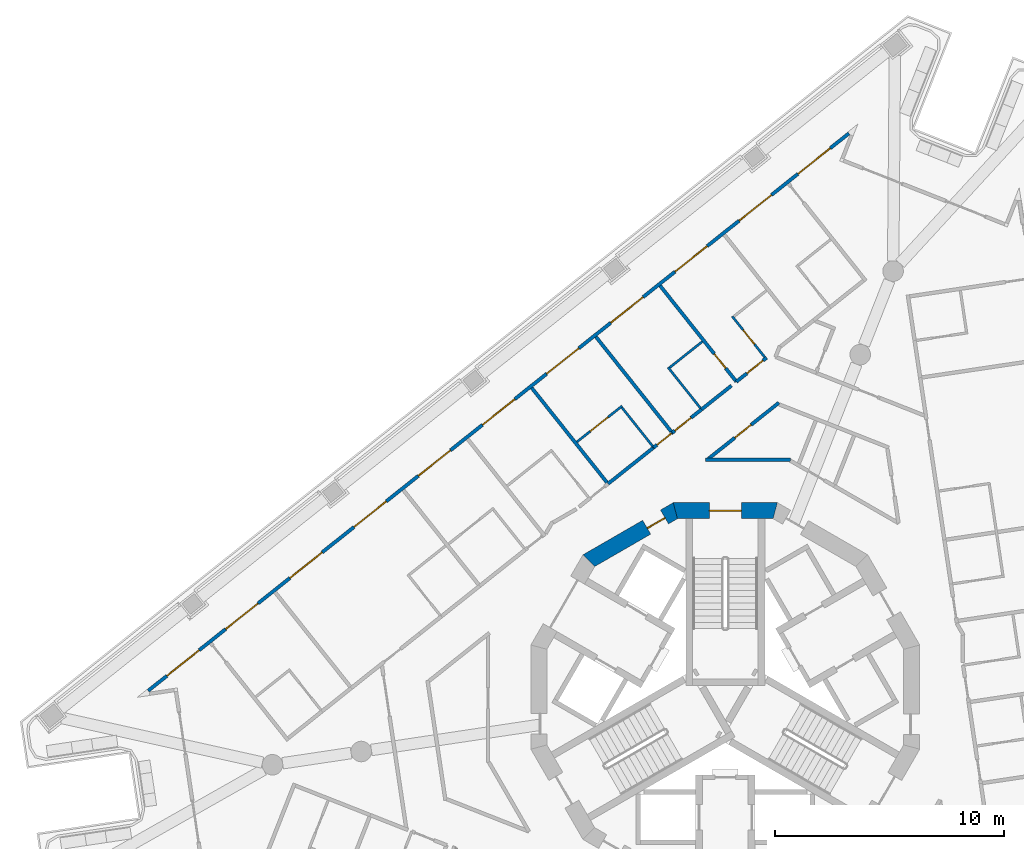
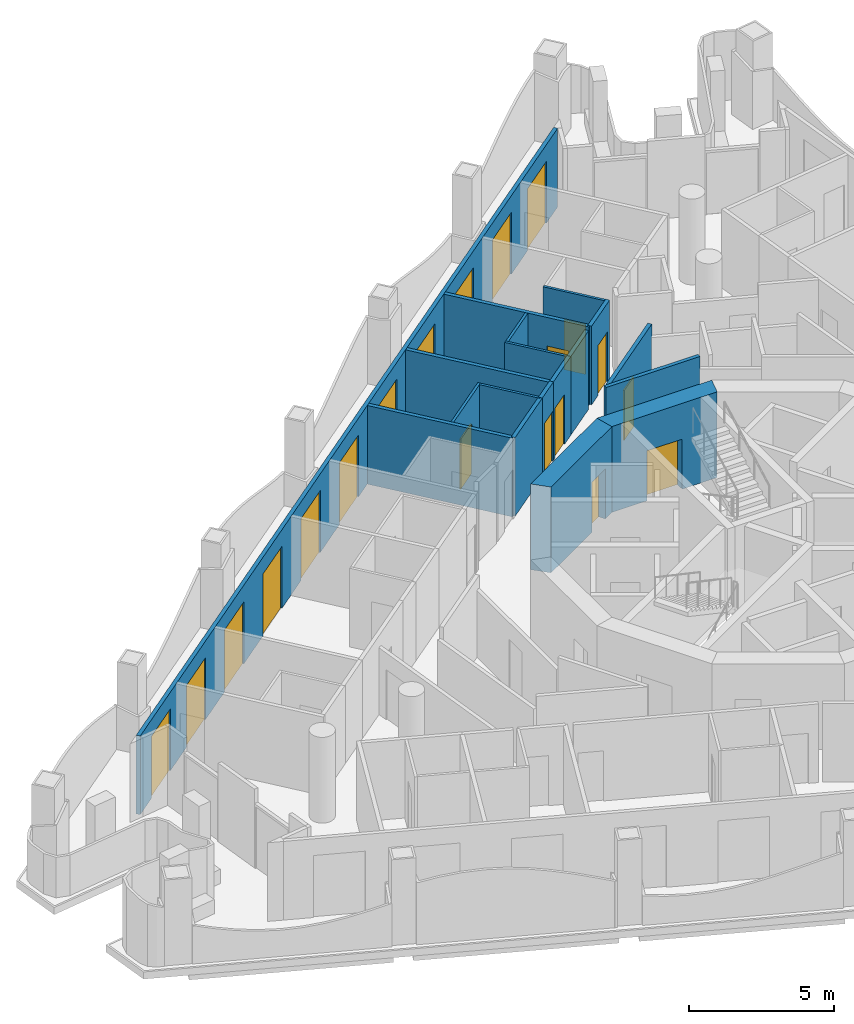
# One storey, part 8 of 17: 20 doors, 18 walls, 20 openings.
"""IFC4 building model written with IfcOpenShell, lengths in metres."""

from ifc_helpers import new_model, si_unit, direction, frame, frame_2d, origin, place, context, subcontext, project, spatial, polyline, rectangle, outline, extrude, material, layer, layer_set, type_object, element, fill, save


model = new_model("IFC4")

# Units and contexts
model_context = context("Model", 3, precision=1e-05, world=origin(), true_north=direction((0.0, 1.0)))
body_context = subcontext(model_context, "Body", "Model", "MODEL_VIEW")
ifc_project = project(units=[si_unit("LENGTHUNIT", "METRE"), si_unit("AREAUNIT", "SQUARE_METRE"), si_unit("VOLUMEUNIT", "CUBIC_METRE"), si_unit("PLANEANGLEUNIT", "RADIAN"), si_unit("MASSUNIT", "GRAM", prefix="KILO")], contexts=[model_context])

# Site, building, storey
site_placement = place(None, origin())
site = spatial("IfcSite", under=ifc_project, at=site_placement, CompositionType="ELEMENT")
building_placement = place(site_placement, origin())
building = spatial("IfcBuilding", under=site, at=building_placement, Name="Trine Commons Tower", CompositionType="ELEMENT")
storey_placement = place(building_placement, frame((0.0, 0.0, 208.800048828125)))
storey = spatial("IfcBuildingStorey", under=building, at=storey_placement, Name="L54", CompositionType="ELEMENT", Elevation=208.800048828125)

# Wall, openings, doors
ifc_material_1 = material(Name="Aluminium-framed insulated wall panel", Category="aluminium")
ifc_layer_1 = layer(ifc_material_1, 0.14990234375)
ifc_layer_set_1 = layer_set([ifc_layer_1], Name="Aluminium-framed insulated wall panel")
wall_type_1 = type_object("IfcWallType", Name="Glazed frame wall 150, EI 60", PredefinedType="SOLIDWALL", material=ifc_layer_set_1)
wall_1_placement = place(storey_placement, frame((54.650634765625, 62.685546875, 0.0), z_axis=(0.0, 0.0, 1.0), x_axis=(0.782609620341, 0.622512796776, 0.0)))
wall_1 = element("IfcWall", 1, at=wall_1_placement, inside=storey, type_object=wall_type_1, Name="Glazed frame wall F1", PredefinedType="SOLIDWALL", context=body_context, shape_type="SweptSolid", body=[
    extrude(outline(polyline([(0.1494140625, 0.074951171875), (0.1494140625, -0.074951171875), (39.296875, -0.074951171875), (39.296875, 0.074951171875), (0.1494140625, 0.074951171875)])), origin(), (0.0, 0.0, 1.0), 3.300048828125),
])
opening_1_placement = place(wall_1_placement, frame((1.193115234375, 0.0, 0.0)))
opening_1 = element("IfcOpeningElement", 2, at=opening_1_placement, cuts=wall_1, Name="Opening BD-6F1-01", PredefinedType="OPENING", context=body_context, shape_type="SweptSolid", body=[
    extrude(rectangle(XDim=1.800048828125, YDim=2.60009765625, at=frame_2d((0.89990234375, 1.300048828125))), frame((0.0, 0.0849609375, 0.0), z_axis=(0.0, -1.0, 0.0), x_axis=(1.0, 0.0, 0.0)), (0.0, 0.0, 1.0), 0.169921875),
])
opening_2_placement = place(wall_1_placement, frame((4.47900390625, 0.0, 0.0)))
opening_2 = element("IfcOpeningElement", 3, at=opening_2_placement, cuts=wall_1, Name="Opening BD-6F1-02", PredefinedType="OPENING", context=body_context, shape_type="SweptSolid", body=[
    extrude(rectangle(XDim=1.800048828125, YDim=2.60009765625, at=frame_2d((0.89990234375, 1.300048828125))), frame((0.0, 0.0849609375, 0.0), z_axis=(0.0, -1.0, 0.0), x_axis=(1.0, 0.0, 0.0)), (0.0, 0.0, 1.0), 0.169921875),
])
opening_3_placement = place(wall_1_placement, frame((8.06494140625, 0.0, 0.0)))
opening_3 = element("IfcOpeningElement", 4, at=opening_3_placement, cuts=wall_1, Name="Opening BD-6F1-03", PredefinedType="OPENING", context=body_context, shape_type="SweptSolid", body=[
    extrude(rectangle(XDim=1.800048828125, YDim=2.60009765625, at=frame_2d((0.89990234375, 1.300048828125))), frame((0.0, 0.0849609375, 0.0), z_axis=(0.0, -1.0, 0.0), x_axis=(1.0, 0.0, 0.0)), (0.0, 0.0, 1.0), 0.169921875),
])
opening_4_placement = place(wall_1_placement, frame((11.65087890625, 0.0, 0.0)))
opening_4 = element("IfcOpeningElement", 5, at=opening_4_placement, cuts=wall_1, Name="Opening BD-6F1-04", PredefinedType="OPENING", context=body_context, shape_type="SweptSolid", body=[
    extrude(rectangle(XDim=1.800048828125, YDim=2.60009765625, at=frame_2d((0.89990234375, 1.300048828125))), frame((0.0, 0.0849609375, 0.0), z_axis=(0.0, -1.0, 0.0), x_axis=(1.0, 0.0, 0.0)), (0.0, 0.0, 1.0), 0.169921875),
])
opening_5_placement = place(wall_1_placement, frame((15.237060546875, 0.0, 0.0)))
opening_5 = element("IfcOpeningElement", 6, at=opening_5_placement, cuts=wall_1, Name="Opening BD-6F1-05", PredefinedType="OPENING", context=body_context, shape_type="SweptSolid", body=[
    extrude(rectangle(XDim=1.800048828125, YDim=2.60009765625, at=frame_2d((0.89990234375, 1.300048828125))), frame((0.0, 0.0849609375, 0.0), z_axis=(0.0, -1.0, 0.0), x_axis=(1.0, 0.0, 0.0)), (0.0, 0.0, 1.0), 0.169921875),
])
opening_6_placement = place(wall_1_placement, frame((18.822998046875, 0.0, 0.0)))
opening_6 = element("IfcOpeningElement", 7, at=opening_6_placement, cuts=wall_1, Name="Opening BD-6F1-06", PredefinedType="OPENING", context=body_context, shape_type="SweptSolid", body=[
    extrude(rectangle(XDim=1.800048828125, YDim=2.60009765625, at=frame_2d((0.89990234375, 1.300048828125))), frame((0.0, 0.0849609375, 0.0), z_axis=(0.0, -1.0, 0.0), x_axis=(1.0, 0.0, 0.0)), (0.0, 0.0, 1.0), 0.169921875),
])
opening_7_placement = place(wall_1_placement, frame((22.408935546875, 0.0, 0.0)))
opening_7 = element("IfcOpeningElement", 8, at=opening_7_placement, cuts=wall_1, Name="Opening BD-6F1-07", PredefinedType="OPENING", context=body_context, shape_type="SweptSolid", body=[
    extrude(rectangle(XDim=1.800048828125, YDim=2.60009765625, at=frame_2d((0.89990234375, 1.300048828125))), frame((0.0, 0.0849609375, 0.0), z_axis=(0.0, -1.0, 0.0), x_axis=(1.0, 0.0, 0.0)), (0.0, 0.0, 1.0), 0.169921875),
])
opening_8_placement = place(wall_1_placement, frame((25.9951171875, 0.0, 0.0)))
opening_8 = element("IfcOpeningElement", 9, at=opening_8_placement, cuts=wall_1, Name="Opening BD-6F1-08", PredefinedType="OPENING", context=body_context, shape_type="SweptSolid", body=[
    extrude(rectangle(XDim=1.800048828125, YDim=2.60009765625, at=frame_2d((0.89990234375, 1.300048828125))), frame((0.0, 0.0849609375, 0.0), z_axis=(0.0, -1.0, 0.0), x_axis=(1.0, 0.0, 0.0)), (0.0, 0.0, 1.0), 0.169921875),
])
opening_9_placement = place(wall_1_placement, frame((29.5810546875, 0.0, 0.0)))
opening_9 = element("IfcOpeningElement", 10, at=opening_9_placement, cuts=wall_1, Name="Opening BD-6F1-09", PredefinedType="OPENING", context=body_context, shape_type="SweptSolid", body=[
    extrude(rectangle(XDim=1.800048828125, YDim=2.60009765625, at=frame_2d((0.89990234375, 1.300048828125))), frame((0.0, 0.0849609375, 0.0), z_axis=(0.0, -1.0, 0.0), x_axis=(1.0, 0.0, 0.0)), (0.0, 0.0, 1.0), 0.169921875),
])
opening_10_placement = place(wall_1_placement, frame((33.1669921875, 0.0, 0.0)))
opening_10 = element("IfcOpeningElement", 11, at=opening_10_placement, cuts=wall_1, Name="Opening BD-6F1-10", PredefinedType="OPENING", context=body_context, shape_type="SweptSolid", body=[
    extrude(rectangle(XDim=1.800048828125, YDim=2.60009765625, at=frame_2d((0.89990234375, 1.300048828125))), frame((0.0, 0.0849609375, 0.0), z_axis=(0.0, -1.0, 0.0), x_axis=(1.0, 0.0, 0.0)), (0.0, 0.0, 1.0), 0.169921875),
])
opening_11_placement = place(wall_1_placement, frame((36.452880859375, 0.0, 0.0)))
opening_11 = element("IfcOpeningElement", 12, at=opening_11_placement, cuts=wall_1, Name="Opening BD-6F1-11", PredefinedType="OPENING", context=body_context, shape_type="SweptSolid", body=[
    extrude(rectangle(XDim=1.800048828125, YDim=2.60009765625, at=frame_2d((0.89990234375, 1.300048828125))), frame((0.0, 0.0849609375, 0.0), z_axis=(0.0, -1.0, 0.0), x_axis=(1.0, 0.0, 0.0)), (0.0, 0.0, 1.0), 0.169921875),
])
ifc_material_2 = material(Name="Anodised aluminium frame with double glazing", Category="aluminium")
door_type_1 = type_object("IfcDoorType", Name="Sliding loggia door 1800x2600", OperationType="SLIDING_TO_LEFT", PredefinedType="DOOR", material=ifc_material_2)
door_1_placement = place(opening_1_placement, origin())
door_1 = element("IfcDoor", 13, at=door_1_placement, inside=storey, type_object=door_type_1, Name="Loggia door F1 1", OperationType="SLIDING_TO_LEFT", OverallHeight=2.60009765625, OverallWidth=1.800048828125, PredefinedType="DOOR", context=body_context, shape_type="SweptSolid", body=[
    extrude(rectangle(XDim=1.800048828125, YDim=2.60009765625, at=frame_2d((0.89990234375, 1.300048828125))), frame((0.0, 0.02490234375, 0.0), z_axis=(0.0, -1.0, 0.0), x_axis=(1.0, 0.0, 0.0)), (0.0, 0.0, 1.0), 0.050048828125),
])
fill(opening_1, door_1)
door_2_placement = place(opening_2_placement, origin())
door_2 = element("IfcDoor", 14, at=door_2_placement, inside=storey, type_object=door_type_1, Name="Loggia door F1 2", OperationType="SLIDING_TO_LEFT", OverallHeight=2.60009765625, OverallWidth=1.800048828125, PredefinedType="DOOR", context=body_context, shape_type="SweptSolid", body=[
    extrude(rectangle(XDim=1.800048828125, YDim=2.60009765625, at=frame_2d((0.89990234375, 1.300048828125))), frame((0.0, 0.02490234375, 0.0), z_axis=(0.0, -1.0, 0.0), x_axis=(1.0, 0.0, 0.0)), (0.0, 0.0, 1.0), 0.050048828125),
])
fill(opening_2, door_2)
door_3_placement = place(opening_3_placement, origin())
door_3 = element("IfcDoor", 15, at=door_3_placement, inside=storey, type_object=door_type_1, Name="Loggia door F1 3", OperationType="SLIDING_TO_LEFT", OverallHeight=2.60009765625, OverallWidth=1.800048828125, PredefinedType="DOOR", context=body_context, shape_type="SweptSolid", body=[
    extrude(rectangle(XDim=1.800048828125, YDim=2.60009765625, at=frame_2d((0.89990234375, 1.300048828125))), frame((0.0, 0.02490234375, 0.0), z_axis=(0.0, -1.0, 0.0), x_axis=(1.0, 0.0, 0.0)), (0.0, 0.0, 1.0), 0.050048828125),
])
fill(opening_3, door_3)
door_4_placement = place(opening_4_placement, origin())
door_4 = element("IfcDoor", 16, at=door_4_placement, inside=storey, type_object=door_type_1, Name="Loggia door F1 4", OperationType="SLIDING_TO_LEFT", OverallHeight=2.60009765625, OverallWidth=1.800048828125, PredefinedType="DOOR", context=body_context, shape_type="SweptSolid", body=[
    extrude(rectangle(XDim=1.800048828125, YDim=2.60009765625, at=frame_2d((0.89990234375, 1.300048828125))), frame((0.0, 0.02490234375, 0.0), z_axis=(0.0, -1.0, 0.0), x_axis=(1.0, 0.0, 0.0)), (0.0, 0.0, 1.0), 0.050048828125),
])
fill(opening_4, door_4)
door_5_placement = place(opening_5_placement, origin())
door_5 = element("IfcDoor", 17, at=door_5_placement, inside=storey, type_object=door_type_1, Name="Loggia door F1 5", OperationType="SLIDING_TO_LEFT", OverallHeight=2.60009765625, OverallWidth=1.800048828125, PredefinedType="DOOR", context=body_context, shape_type="SweptSolid", body=[
    extrude(rectangle(XDim=1.800048828125, YDim=2.60009765625, at=frame_2d((0.89990234375, 1.300048828125))), frame((0.0, 0.02490234375, 0.0), z_axis=(0.0, -1.0, 0.0), x_axis=(1.0, 0.0, 0.0)), (0.0, 0.0, 1.0), 0.050048828125),
])
fill(opening_5, door_5)
door_6_placement = place(opening_6_placement, origin())
door_6 = element("IfcDoor", 18, at=door_6_placement, inside=storey, type_object=door_type_1, Name="Loggia door F1 6", OperationType="SLIDING_TO_LEFT", OverallHeight=2.60009765625, OverallWidth=1.800048828125, PredefinedType="DOOR", context=body_context, shape_type="SweptSolid", body=[
    extrude(rectangle(XDim=1.800048828125, YDim=2.60009765625, at=frame_2d((0.89990234375, 1.300048828125))), frame((0.0, 0.02490234375, 0.0), z_axis=(0.0, -1.0, 0.0), x_axis=(1.0, 0.0, 0.0)), (0.0, 0.0, 1.0), 0.050048828125),
])
fill(opening_6, door_6)
door_7_placement = place(opening_7_placement, origin())
door_7 = element("IfcDoor", 19, at=door_7_placement, inside=storey, type_object=door_type_1, Name="Loggia door F1 7", OperationType="SLIDING_TO_LEFT", OverallHeight=2.60009765625, OverallWidth=1.800048828125, PredefinedType="DOOR", context=body_context, shape_type="SweptSolid", body=[
    extrude(rectangle(XDim=1.800048828125, YDim=2.60009765625, at=frame_2d((0.89990234375, 1.300048828125))), frame((0.0, 0.02490234375, 0.0), z_axis=(0.0, -1.0, 0.0), x_axis=(1.0, 0.0, 0.0)), (0.0, 0.0, 1.0), 0.050048828125),
])
fill(opening_7, door_7)
door_8_placement = place(opening_8_placement, origin())
door_8 = element("IfcDoor", 20, at=door_8_placement, inside=storey, type_object=door_type_1, Name="Loggia door F1 8", OperationType="SLIDING_TO_LEFT", OverallHeight=2.60009765625, OverallWidth=1.800048828125, PredefinedType="DOOR", context=body_context, shape_type="SweptSolid", body=[
    extrude(rectangle(XDim=1.800048828125, YDim=2.60009765625, at=frame_2d((0.89990234375, 1.300048828125))), frame((0.0, 0.02490234375, 0.0), z_axis=(0.0, -1.0, 0.0), x_axis=(1.0, 0.0, 0.0)), (0.0, 0.0, 1.0), 0.050048828125),
])
fill(opening_8, door_8)
door_9_placement = place(opening_9_placement, origin())
door_9 = element("IfcDoor", 21, at=door_9_placement, inside=storey, type_object=door_type_1, Name="Loggia door F1 9", OperationType="SLIDING_TO_LEFT", OverallHeight=2.60009765625, OverallWidth=1.800048828125, PredefinedType="DOOR", context=body_context, shape_type="SweptSolid", body=[
    extrude(rectangle(XDim=1.800048828125, YDim=2.60009765625, at=frame_2d((0.89990234375, 1.300048828125))), frame((0.0, 0.02490234375, 0.0), z_axis=(0.0, -1.0, 0.0), x_axis=(1.0, 0.0, 0.0)), (0.0, 0.0, 1.0), 0.050048828125),
])
fill(opening_9, door_9)
door_10_placement = place(opening_10_placement, origin())
door_10 = element("IfcDoor", 22, at=door_10_placement, inside=storey, type_object=door_type_1, Name="Loggia door F1 10", OperationType="SLIDING_TO_LEFT", OverallHeight=2.60009765625, OverallWidth=1.800048828125, PredefinedType="DOOR", context=body_context, shape_type="SweptSolid", body=[
    extrude(rectangle(XDim=1.800048828125, YDim=2.60009765625, at=frame_2d((0.89990234375, 1.300048828125))), frame((0.0, 0.02490234375, 0.0), z_axis=(0.0, -1.0, 0.0), x_axis=(1.0, 0.0, 0.0)), (0.0, 0.0, 1.0), 0.050048828125),
])
fill(opening_10, door_10)
door_11_placement = place(opening_11_placement, origin())
door_11 = element("IfcDoor", 23, at=door_11_placement, inside=storey, type_object=door_type_1, Name="Loggia door F1 11", OperationType="SLIDING_TO_LEFT", OverallHeight=2.60009765625, OverallWidth=1.800048828125, PredefinedType="DOOR", context=body_context, shape_type="SweptSolid", body=[
    extrude(rectangle(XDim=1.800048828125, YDim=2.60009765625, at=frame_2d((0.89990234375, 1.300048828125))), frame((0.0, 0.02490234375, 0.0), z_axis=(0.0, -1.0, 0.0), x_axis=(1.0, 0.0, 0.0)), (0.0, 0.0, 1.0), 0.050048828125),
])
fill(opening_11, door_11)

# Wall, opening, door
ifc_material_3 = material(Name="Concrete C60/75", Category="concrete")
ifc_layer_2 = layer(ifc_material_3, 0.699951171875)
ifc_layer_set_2 = layer_set([ifc_layer_2], Name="Concrete C60/75")
wall_type_2 = type_object("IfcWallType", Name="RC shear wall 700 mm, C60/75", PredefinedType="SHEAR", material=ifc_layer_set_2)
wall_2_placement = place(storey_placement, frame((82.277587890625, 70.650146484375, 0.0), z_axis=(0.0, 0.0, 1.0), x_axis=(-1.0, 0.0, 0.0)))
wall_2 = element("IfcWall", 24, at=wall_2_placement, inside=storey, type_object=wall_type_2, Name="Core wall CWF-04 L54", PredefinedType="SHEAR", context=body_context, shape_type="SweptSolid", body=[
    extrude(outline(polyline([(0.0, -0.35009765625), (4.55517578125, -0.35009765625), (4.36767578125, 0.35009765625), (0.1875, 0.35009765625), (0.0, -0.35009765625)])), origin(), (0.0, 0.0, 1.0), 3.599853515625),
])
opening_12_placement = place(wall_2_placement, frame((1.57763671875, 0.0, 0.0)))
opening_12 = element("IfcOpeningElement", 25, at=opening_12_placement, cuts=wall_2, Name="Opening K16.01", PredefinedType="OPENING", context=body_context, shape_type="SweptSolid", body=[
    extrude(rectangle(XDim=1.39990234375, YDim=2.10009765625, at=frame_2d((0.699951171875, 1.050048828125))), frame((0.0, 0.35986328125, 0.0), z_axis=(0.0, -1.0, 0.0), x_axis=(1.0, 0.0, 0.0)), (0.0, 0.0, 1.0), 0.719970703125),
])
ifc_material_4 = material(Name="Steel door leaves, fire-rated", Category="steel")
door_type_2 = type_object("IfcDoorType", Name="Stair door, double leaf 1400 x 2100, FD90", OperationType="DOUBLE_DOOR_SINGLE_SWING", PredefinedType="DOOR", material=ifc_material_4)
door_12_placement = place(opening_12_placement, origin())
door_12 = element("IfcDoor", 26, at=door_12_placement, inside=storey, type_object=door_type_2, Name="Stair door to Exit stair ST1C L54", OperationType="DOUBLE_DOOR_SINGLE_SWING", OverallHeight=2.10009765625, OverallWidth=1.39990234375, PredefinedType="DOOR", context=body_context, shape_type="SweptSolid", body=[
    extrude(rectangle(XDim=1.39990234375, YDim=2.10009765625, at=frame_2d((0.699951171875, 1.050048828125))), frame((0.0, 0.02490234375, 0.0), z_axis=(0.0, -1.0, 0.0), x_axis=(1.0, 0.0, 0.0)), (0.0, 0.0, 1.0), 0.050048828125),
])
fill(opening_12, door_12)

wall_3_placement = place(storey_placement, frame((77.8974609375, 70.697021484375, 0.0), z_axis=(0.0, 0.0, 1.0), x_axis=(-0.866034756103, -0.499983800959, 0.0)))
wall_3 = element("IfcWall", 27, at=wall_3_placement, inside=storey, type_object=wall_type_2, Name="Core wall CWF-05 L54", PredefinedType="SHEAR", context=body_context, shape_type="SweptSolid", body=[
    extrude(outline(polyline([(0.0, -0.35009765625), (4.55517578125, -0.35009765625), (4.36767578125, 0.35009765625), (0.1875, 0.35009765625), (0.0, -0.35009765625)])), origin(), (0.0, 0.0, 1.0), 3.599853515625),
])
opening_13_placement = place(wall_3_placement, frame((0.641845703125, 0.0, 0.0)))
opening_13 = element("IfcOpeningElement", 28, at=opening_13_placement, cuts=wall_3, Name="Opening K16.13", PredefinedType="OPENING", context=body_context, shape_type="SweptSolid", body=[
    extrude(rectangle(XDim=0.89990234375, YDim=2.10009765625, at=frame_2d((0.449951171875, 1.050048828125))), frame((0.0, 0.35986328125, 0.0), z_axis=(0.0, -1.0, 0.0), x_axis=(1.0, 0.0, 0.0)), (0.0, 0.0, 1.0), 0.719970703125),
])
ifc_material_5 = material(Name="Steel door leaf, fire-rated", Category="steel")
door_type_3 = type_object("IfcDoorType", Name="Core room door, single leaf 900 x 2100, FD30S", OperationType="SINGLE_SWING_LEFT", PredefinedType="DOOR", material=ifc_material_5)
door_13_placement = place(opening_13_placement, origin())
door_13 = element("IfcDoor", 29, at=door_13_placement, inside=storey, type_object=door_type_3, Name="Door to Accessible WC L54", OperationType="SINGLE_SWING_LEFT", OverallHeight=2.10009765625, OverallWidth=0.89990234375, PredefinedType="DOOR", context=body_context, shape_type="SweptSolid", body=[
    extrude(rectangle(XDim=0.89990234375, YDim=2.10009765625, at=frame_2d((0.449951171875, 1.050048828125))), frame((0.0, 0.0751953125, 0.0), z_axis=(0.0, -1.0, 0.0), x_axis=(1.0, 0.0, 0.0)), (0.0, 0.0, 1.0), 0.050048828125),
])
fill(opening_13, door_13)

# Walls
ifc_material_6 = material(Name="Gypsum plasterboard on steel stud", Category="steel")
ifc_layer_3 = layer(ifc_material_6, 0.14990234375)
ifc_layer_set_3 = layer_set([ifc_layer_3], Name="Gypsum plasterboard on steel stud")
wall_type_3 = type_object("IfcWallType", Name="Unit and corridor wall 150 mm, EI 60", PredefinedType="PARTITIONING", material=ifc_layer_set_3)
wall_4_placement = place(storey_placement, frame((71.535888671875, 76.020751953125, 0.0), z_axis=(0.0, 0.0, 1.0), x_axis=(0.622565407695, -0.782567769041, 0.0)))
element("IfcWall", 30, at=wall_4_placement, inside=storey, type_object=wall_type_3, Name="Partition 037", PredefinedType="PARTITIONING", context=body_context, shape_type="SweptSolid", body=[
    extrude(rectangle(XDim=5.3603515625, YDim=0.14990234375, at=frame_2d((2.68017578125, 0.0))), origin(), (0.0, 0.0, 1.0), 3.300048828125),
])
wall_5_placement = place(storey_placement, frame((74.343017578125, 78.252685546875, 0.0), z_axis=(0.0, 0.0, 1.0), x_axis=(0.622444463897, -0.782663969634, 0.0)))
element("IfcWall", 31, at=wall_5_placement, inside=storey, type_object=wall_type_3, Name="Partition 047", PredefinedType="PARTITIONING", context=body_context, shape_type="SweptSolid", body=[
    extrude(rectangle(XDim=5.284423828125, YDim=0.14990234375, at=frame_2d((2.64208984375, 0.0))), origin(), (0.0, 0.0, 1.0), 3.300048828125),
])
wall_6_placement = place(storey_placement, frame((74.8701171875, 71.823974609375, 0.0), z_axis=(0.0, 0.0, 1.0), x_axis=(0.782719471112, 0.622374669746, 0.0)))
element("IfcWall", 32, at=wall_6_placement, inside=storey, type_object=wall_type_3, Name="Partition 048", PredefinedType="PARTITIONING", context=body_context, shape_type="SweptSolid", body=[
    extrude(rectangle(XDim=2.556396484375, YDim=0.14990234375, at=frame_2d((1.2783203125, 0.0))), origin(), (0.0, 0.0, 1.0), 3.300048828125),
])

# Wall, opening, door
wall_7_placement = place(storey_placement, frame((76.864990234375, 73.410888671875, 0.0), z_axis=(0.0, 0.0, 1.0), x_axis=(0.782896309119, 0.622152207396, 0.0)))
wall_7 = element("IfcWall", 33, at=wall_7_placement, inside=storey, type_object=wall_type_3, Name="Partition 052", PredefinedType="PARTITIONING", context=body_context, shape_type="SweptSolid", body=[
    extrude(rectangle(XDim=1.04345703125, YDim=0.14990234375, at=frame_2d((0.521728515625, 0.0))), origin(), (0.0, 0.0, 1.0), 3.300048828125),
])
opening_14_placement = place(wall_7_placement, frame((0.189697265625, 0.0, 0.0)))
opening_14 = element("IfcOpeningElement", 34, at=opening_14_placement, cuts=wall_7, Name="Opening D-6B09", PredefinedType="OPENING", context=body_context, shape_type="SweptSolid", body=[
    extrude(rectangle(XDim=0.800048828125, YDim=2.10009765625, at=frame_2d((0.39990234375, 1.050048828125))), frame((0.0, 0.0849609375, 0.0), z_axis=(0.0, -1.0, 0.0), x_axis=(1.0, 0.0, 0.0)), (0.0, 0.0, 1.0), 0.169921875),
])
ifc_material_7 = material(Name="Timber fire door set", Category="wood")
door_type_4 = type_object("IfcDoorType", Name="Bedroom door 800 x 2100, FD30S", OperationType="NOTDEFINED", PredefinedType="DOOR", material=ifc_material_7)
door_14_placement = place(opening_14_placement, origin())
door_14 = element("IfcDoor", 35, at=door_14_placement, inside=storey, type_object=door_type_4, Name="Door D-6B09", OperationType="SINGLE_SWING_RIGHT", OverallHeight=2.10009765625, OverallWidth=0.800048828125, PredefinedType="DOOR", context=body_context, shape_type="SweptSolid", body=[
    extrude(rectangle(XDim=0.800048828125, YDim=2.10009765625, at=frame_2d((0.39990234375, 1.050048828125))), frame((0.0, 0.02490234375, 0.0), z_axis=(0.0, -1.0, 0.0), x_axis=(1.0, 0.0, 0.0)), (0.0, 0.0, 1.0), 0.050048828125),
])
fill(opening_14, door_14)

wall_8_placement = place(storey_placement, frame((77.14892578125, 80.485595703125, 0.0), z_axis=(0.0, 0.0, 1.0), x_axis=(0.622587598128, -0.782550115109, 0.0)))
wall_8 = element("IfcWall", 36, at=wall_8_placement, inside=storey, type_object=wall_type_3, Name="Partition 055", PredefinedType="PARTITIONING", context=body_context, shape_type="SweptSolid", body=[
    extrude(rectangle(XDim=5.360107421875, YDim=0.14990234375, at=frame_2d((2.68017578125, 0.0))), origin(), (0.0, 0.0, 1.0), 3.300048828125),
])
opening_15_placement = place(wall_8_placement, frame((3.81005859375, 0.0, 0.0)))
opening_15 = element("IfcOpeningElement", 37, at=opening_15_placement, cuts=wall_8, Name="Opening D-6B40", PredefinedType="OPENING", context=body_context, shape_type="SweptSolid", body=[
    extrude(rectangle(XDim=0.800048828125, YDim=2.10009765625, at=frame_2d((0.39990234375, 1.050048828125))), frame((0.0, 0.0849609375, 0.0), z_axis=(0.0, -1.0, 0.0), x_axis=(1.0, 0.0, 0.0)), (0.0, 0.0, 1.0), 0.169921875),
])
ifc_material_8 = material(Name="Painted timber", Category="wood")
door_type_5 = type_object("IfcDoorType", Name="Internal door 800 x 2100, NOT RATED", OperationType="NOTDEFINED", PredefinedType="DOOR", material=ifc_material_8)
door_15_placement = place(opening_15_placement, origin())
door_15 = element("IfcDoor", 38, at=door_15_placement, inside=storey, type_object=door_type_5, Name="Door D-6B40", OperationType="SINGLE_SWING_RIGHT", OverallHeight=2.10009765625, OverallWidth=0.800048828125, PredefinedType="DOOR", context=body_context, shape_type="SweptSolid", body=[
    extrude(rectangle(XDim=0.800048828125, YDim=2.10009765625, at=frame_2d((0.39990234375, 1.050048828125))), frame((0.0, 0.02490234375, 0.0), z_axis=(0.0, -1.0, 0.0), x_axis=(1.0, 0.0, 0.0)), (0.0, 0.0, 1.0), 0.050048828125),
])
fill(opening_15, door_15)

wall_9_placement = place(storey_placement, frame((77.676025390625, 74.055908203125, 0.0), z_axis=(0.0, 0.0, 1.0), x_axis=(0.782734219596, 0.622356121102, 0.0)))
wall_9 = element("IfcWall", 39, at=wall_9_placement, inside=storey, type_object=wall_type_3, Name="Partition 059", PredefinedType="PARTITIONING", context=body_context, shape_type="SweptSolid", body=[
    extrude(rectangle(XDim=1.64404296875, YDim=0.14990234375, at=frame_2d((0.822021484375, 0.0))), origin(), (0.0, 0.0, 1.0), 3.300048828125),
])
opening_16_placement = place(wall_9_placement, frame((0.153564453125, 0.0, 0.0)))
opening_16 = element("IfcOpeningElement", 40, at=opening_16_placement, cuts=wall_9, Name="Opening D-6B10", PredefinedType="OPENING", context=body_context, shape_type="SweptSolid", body=[
    extrude(rectangle(XDim=0.89990234375, YDim=2.10009765625, at=frame_2d((0.449951171875, 1.050048828125))), frame((0.0, 0.0849609375, 0.0), z_axis=(0.0, -1.0, 0.0), x_axis=(1.0, 0.0, 0.0)), (0.0, 0.0, 1.0), 0.169921875),
])
door_type_6 = type_object("IfcDoorType", Name="Bedroom door 900 x 2100, FD30S", OperationType="NOTDEFINED", PredefinedType="DOOR", material=ifc_material_7)
door_16_placement = place(opening_16_placement, origin())
door_16 = element("IfcDoor", 41, at=door_16_placement, inside=storey, type_object=door_type_6, Name="Door D-6B10", OperationType="SINGLE_SWING_LEFT", OverallHeight=2.10009765625, OverallWidth=0.89990234375, PredefinedType="DOOR", context=body_context, shape_type="SweptSolid", body=[
    extrude(rectangle(XDim=0.89990234375, YDim=2.10009765625, at=frame_2d((0.449951171875, 1.050048828125))), frame((0.0, 0.02490234375, 0.0), z_axis=(0.0, -1.0, 0.0), x_axis=(1.0, 0.0, 0.0)), (0.0, 0.0, 1.0), 0.050048828125),
])
fill(opening_16, door_16)

# Walls
wall_10_placement = place(storey_placement, frame((78.95703125, 75.074951171875, 0.0), z_axis=(0.0, 0.0, 1.0), x_axis=(0.782797783459, 0.622276168764, 0.0)))
element("IfcWall", 42, at=wall_10_placement, inside=storey, type_object=wall_type_3, Name="Partition 062", PredefinedType="PARTITIONING", context=body_context, shape_type="SweptSolid", body=[
    extrude(rectangle(XDim=1.676025390625, YDim=0.14990234375, at=frame_2d((0.837890625, 0.0))), origin(), (0.0, 0.0, 1.0), 3.300048828125),
])
wall_11_placement = place(storey_placement, frame((79.125, 72.875, 0.0), z_axis=(0.0, 0.0, 1.0), x_axis=(1.0, 0.0, 0.0)))
element("IfcWall", 43, at=wall_11_placement, inside=storey, type_object=wall_type_3, Name="Partition 064", PredefinedType="PARTITIONING", context=body_context, shape_type="SweptSolid", body=[
    extrude(rectangle(XDim=3.72998046875, YDim=0.14990234375, at=frame_2d((1.864990234375, 0.0))), origin(), (0.0, 0.0, 1.0), 3.300048828125),
])

# Wall, opening, door
wall_12_placement = place(storey_placement, frame((79.2626953125, 72.921630859375, 0.0), z_axis=(0.0, 0.0, 1.0), x_axis=(0.782518607784, 0.622627198629, 0.0)))
wall_12 = element("IfcWall", 44, at=wall_12_placement, inside=storey, type_object=wall_type_3, Name="Partition 065", PredefinedType="PARTITIONING", context=body_context, shape_type="SweptSolid", body=[
    extrude(rectangle(XDim=3.934814453125, YDim=0.14990234375, at=frame_2d((1.96728515625, 0.0))), origin(), (0.0, 0.0, 1.0), 3.300048828125),
])
opening_17_placement = place(wall_12_placement, frame((1.479736328125, 0.0, 0.0)))
opening_17 = element("IfcOpeningElement", 45, at=opening_17_placement, cuts=wall_12, Name="Opening D-6B30", PredefinedType="OPENING", context=body_context, shape_type="SweptSolid", body=[
    extrude(rectangle(XDim=0.89990234375, YDim=2.10009765625, at=frame_2d((0.449951171875, 1.050048828125))), frame((0.0, 0.0849609375, 0.0), z_axis=(0.0, -1.0, 0.0), x_axis=(1.0, 0.0, 0.0)), (0.0, 0.0, 1.0), 0.169921875),
])
door_type_7 = type_object("IfcDoorType", Name="Service door 900 x 2100, FD30S", OperationType="NOTDEFINED", PredefinedType="DOOR", material=ifc_material_7)
door_17_placement = place(opening_17_placement, frame((0.89990234375, 0.0, 0.0), z_axis=(0.0, 0.0, 1.0), x_axis=(-1.0, 0.0, 0.0)))
door_17 = element("IfcDoor", 46, at=door_17_placement, inside=storey, type_object=door_type_7, Name="Door D-6B30", OperationType="SINGLE_SWING_RIGHT", OverallHeight=2.10009765625, OverallWidth=0.89990234375, PredefinedType="DOOR", context=body_context, shape_type="SweptSolid", body=[
    extrude(rectangle(XDim=0.89990234375, YDim=2.10009765625, at=frame_2d((0.449951171875, 1.050048828125))), frame((0.0, 0.02490234375, 0.0), z_axis=(0.0, -1.0, 0.0), x_axis=(1.0, 0.0, 0.0)), (0.0, 0.0, 1.0), 0.050048828125),
])
fill(opening_17, door_17)

wall_13_placement = place(storey_placement, frame((80.48291015625, 76.2890625, 0.0), z_axis=(0.0, 0.0, 1.0), x_axis=(0.782933136701, 0.622105861936, 0.0)))
wall_13 = element("IfcWall", 47, at=wall_13_placement, inside=storey, type_object=wall_type_3, Name="Partition 070", PredefinedType="PARTITIONING", context=body_context, shape_type="SweptSolid", body=[
    extrude(rectangle(XDim=1.692626953125, YDim=0.14990234375, at=frame_2d((0.84619140625, 0.0))), origin(), (0.0, 0.0, 1.0), 3.300048828125),
])
opening_18_placement = place(wall_13_placement, frame((0.589111328125, 0.0, 0.0)))
opening_18 = element("IfcOpeningElement", 48, at=opening_18_placement, cuts=wall_13, Name="Opening D-6B11", PredefinedType="OPENING", context=body_context, shape_type="SweptSolid", body=[
    extrude(rectangle(XDim=0.89990234375, YDim=2.10009765625, at=frame_2d((0.449951171875, 1.050048828125))), frame((0.0, 0.0849609375, 0.0), z_axis=(0.0, -1.0, 0.0), x_axis=(1.0, 0.0, 0.0)), (0.0, 0.0, 1.0), 0.169921875),
])
door_18_placement = place(opening_18_placement, origin())
door_18 = element("IfcDoor", 49, at=door_18_placement, inside=storey, type_object=door_type_6, Name="Door D-6B11", OperationType="SINGLE_SWING_RIGHT", OverallHeight=2.10009765625, OverallWidth=0.89990234375, PredefinedType="DOOR", context=body_context, shape_type="SweptSolid", body=[
    extrude(rectangle(XDim=0.89990234375, YDim=2.10009765625, at=frame_2d((0.449951171875, 1.050048828125))), frame((0.0, 0.02490234375, 0.0), z_axis=(0.0, -1.0, 0.0), x_axis=(1.0, 0.0, 0.0)), (0.0, 0.0, 1.0), 0.050048828125),
])
fill(opening_18, door_18)

ifc_layer_4 = layer(ifc_material_6, 0.10009765625)
ifc_layer_set_4 = layer_set([ifc_layer_4], Name="Gypsum plasterboard on steel stud")
wall_type_4 = type_object("IfcWallType", Name="Unit partition 100 mm, no rating", PredefinedType="PARTITIONING", material=ifc_layer_set_4)
wall_14_placement = place(storey_placement, frame((73.51171875, 73.65673828125, 0.0), z_axis=(0.0, 0.0, 1.0), x_axis=(0.782563588738, 0.622570662319, 0.0)))
wall_14 = element("IfcWall", 50, at=wall_14_placement, inside=storey, type_object=wall_type_4, Name="Partition 044", PredefinedType="PARTITIONING", context=body_context, shape_type="SweptSolid", body=[
    extrude(rectangle(XDim=2.525390625, YDim=0.10009765625, at=frame_2d((1.2626953125, 0.0))), origin(), (0.0, 0.0, 1.0), 3.300048828125),
])
opening_19_placement = place(wall_14_placement, frame((0.73779296875, 0.0, 0.0)))
opening_19 = element("IfcOpeningElement", 51, at=opening_19_placement, cuts=wall_14, Name="Opening D-6B39", PredefinedType="OPENING", context=body_context, shape_type="SweptSolid", body=[
    extrude(rectangle(XDim=1.0, YDim=2.10009765625, at=frame_2d((0.5, 1.050048828125))), frame((0.0, 0.06005859375, 0.0), z_axis=(0.0, -1.0, 0.0), x_axis=(1.0, 0.0, 0.0)), (0.0, 0.0, 1.0), 0.1201171875),
])
door_type_8 = type_object("IfcDoorType", Name="Internal door 1000 x 2100, NOT RATED", OperationType="NOTDEFINED", PredefinedType="DOOR", material=ifc_material_8)
door_19_placement = place(opening_19_placement, origin())
door_19 = element("IfcDoor", 52, at=door_19_placement, inside=storey, type_object=door_type_8, Name="Door D-6B39", OperationType="SINGLE_SWING_LEFT", OverallHeight=2.10009765625, OverallWidth=1.0, PredefinedType="DOOR", context=body_context, shape_type="SweptSolid", body=[
    extrude(rectangle(XDim=1.0, YDim=2.10009765625, at=frame_2d((0.5, 1.050048828125))), frame((0.0, 0.02490234375, 0.0), z_axis=(0.0, -1.0, 0.0), x_axis=(1.0, 0.0, 0.0)), (0.0, 0.0, 1.0), 0.050048828125),
])
fill(opening_19, door_19)

# Walls
wall_15_placement = place(storey_placement, frame((75.47998046875, 75.158935546875, 0.0), z_axis=(0.0, 0.0, 1.0), x_axis=(0.622302604584, -0.782776767877, 0.0)))
element("IfcWall", 53, at=wall_15_placement, inside=storey, type_object=wall_type_4, Name="Partition 049", PredefinedType="PARTITIONING", context=body_context, shape_type="SweptSolid", body=[
    extrude(rectangle(XDim=2.230224609375, YDim=0.10009765625, at=frame_2d((1.115234375, 0.0))), origin(), (0.0, 0.0, 1.0), 3.300048828125),
])
wall_16_placement = place(storey_placement, frame((77.496826171875, 76.916015625, 0.0), z_axis=(0.0, 0.0, 1.0), x_axis=(0.622625135388, -0.78252024944, 0.0)))
element("IfcWall", 54, at=wall_16_placement, inside=storey, type_object=wall_type_4, Name="Partition 057", PredefinedType="PARTITIONING", context=body_context, shape_type="SweptSolid", body=[
    extrude(rectangle(XDim=2.275146484375, YDim=0.10009765625, at=frame_2d((1.1376953125, 0.0))), origin(), (0.0, 0.0, 1.0), 3.300048828125),
])
wall_17_placement = place(storey_placement, frame((77.567138671875, 76.908203125, 0.0), z_axis=(0.0, 0.0, 1.0), x_axis=(0.782627716851, 0.622490045557, 0.0)))
element("IfcWall", 55, at=wall_17_placement, inside=storey, type_object=wall_type_4, Name="Partition 058", PredefinedType="PARTITIONING", context=body_context, shape_type="SweptSolid", body=[
    extrude(rectangle(XDim=1.824951171875, YDim=0.10009765625, at=frame_2d((0.91259765625, 0.0))), origin(), (0.0, 0.0, 1.0), 3.300048828125),
])

# Wall, opening, door
wall_18_placement = place(storey_placement, frame((80.302978515625, 79.148193359375, 0.0), z_axis=(0.0, 0.0, 1.0), x_axis=(0.622507134747, -0.782614124067, 0.0)))
wall_18 = element("IfcWall", 56, at=wall_18_placement, inside=storey, type_object=wall_type_4, Name="Partition 068", PredefinedType="PARTITIONING", context=body_context, shape_type="SweptSolid", body=[
    extrude(rectangle(XDim=2.275146484375, YDim=0.10009765625, at=frame_2d((1.1376953125, 0.0))), origin(), (0.0, 0.0, 1.0), 3.300048828125),
])
opening_20_placement = place(wall_18_placement, frame((0.7626953125, 0.0, 0.0)))
opening_20 = element("IfcOpeningElement", 57, at=opening_20_placement, cuts=wall_18, Name="Opening D-6B41", PredefinedType="OPENING", context=body_context, shape_type="SweptSolid", body=[
    extrude(rectangle(XDim=0.800048828125, YDim=2.10009765625, at=frame_2d((0.39990234375, 1.050048828125))), frame((0.0, 0.06005859375, 0.0), z_axis=(0.0, -1.0, 0.0), x_axis=(1.0, 0.0, 0.0)), (0.0, 0.0, 1.0), 0.1201171875),
])
door_20_placement = place(opening_20_placement, frame((0.800048828125, 0.0, 0.0), z_axis=(0.0, 0.0, 1.0), x_axis=(-1.0, 0.0, 0.0)))
door_20 = element("IfcDoor", 58, at=door_20_placement, inside=storey, type_object=door_type_5, Name="Door D-6B41", OperationType="SINGLE_SWING_LEFT", OverallHeight=2.10009765625, OverallWidth=0.800048828125, PredefinedType="DOOR", context=body_context, shape_type="SweptSolid", body=[
    extrude(rectangle(XDim=0.800048828125, YDim=2.10009765625, at=frame_2d((0.39990234375, 1.050048828125))), frame((0.0, 0.02490234375, 0.0), z_axis=(0.0, -1.0, 0.0), x_axis=(1.0, 0.0, 0.0)), (0.0, 0.0, 1.0), 0.050048828125),
])
fill(opening_20, door_20)

save(model, "model.ifc")
